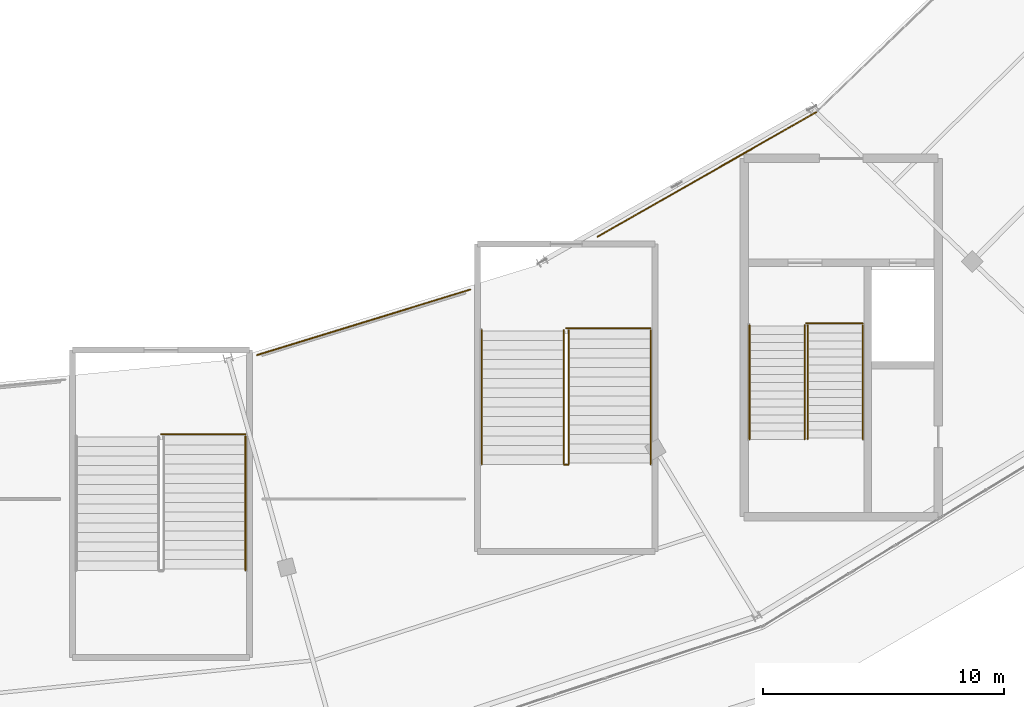
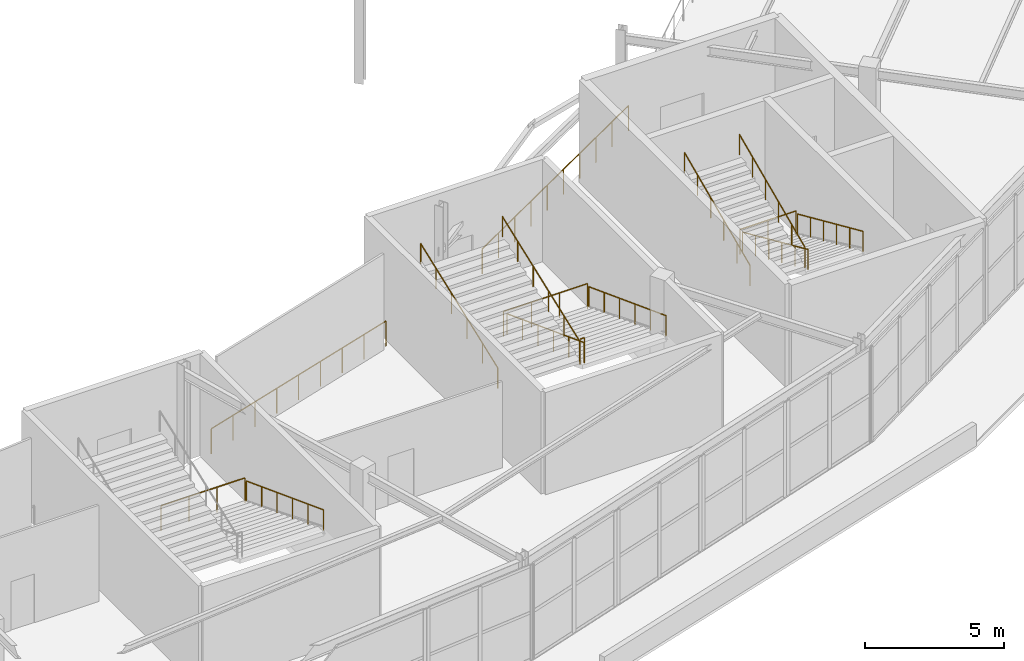
# One storey, part 119 of 126: 15 railings.
"""IFC4 building model written with IfcOpenShell, lengths in metres."""

from ifc_helpers import new_model, si_unit, direction, frame, origin, origin_2d, place, context, subcontext, project, spatial, circle, extrude, material, type_object, element, save


model = new_model("IFC4")

# Units and contexts
model_context = context("Model", 3, precision=1e-05, world=origin(), true_north=direction((0.0, 1.0)))
body_context = subcontext(model_context, "Body", "Model", "MODEL_VIEW")
ifc_project = project(units=[si_unit("LENGTHUNIT", "METRE"), si_unit("AREAUNIT", "SQUARE_METRE"), si_unit("VOLUMEUNIT", "CUBIC_METRE"), si_unit("PLANEANGLEUNIT", "RADIAN"), si_unit("MASSUNIT", "GRAM", prefix="KILO")], contexts=[model_context])

# Site, building, storey
site_placement = place(None, origin())
site = spatial("IfcSite", under=ifc_project, at=site_placement, CompositionType="ELEMENT")
building_placement = place(site_placement, origin())
building = spatial("IfcBuilding", under=site, at=building_placement, Name="Kalgoora Escarpment Arena", CompositionType="ELEMENT")
storey_placement = place(building_placement, frame((0.0, 0.0, 18.89990234375)))
storey = spatial("IfcBuildingStorey", under=building, at=storey_placement, Name="L04", CompositionType="ELEMENT", Elevation=18.89990234375)

# Railings
ifc_material_1 = material(Name="Galvanised & powdercoated tubular steel", Category="steel")
railing_type_1 = type_object("IfcRailingType", Name="RAL-GUARD-1120", PredefinedType="GUARDRAIL", material=ifc_material_1)
railing_1_placement = place(storey_placement, frame((132.68994140625, 26.7900390625, 0.0)))
element("IfcRailing", 1, at=railing_1_placement, inside=storey, type_object=railing_type_1, Name="ST06 L04 floor landing well guard", PredefinedType="GUARDRAIL", context=body_context, shape_type="SweptSolid", body=[
    extrude(circle(Radius=0.02392578125, at=origin_2d()), frame((0.0, 0.0, 1.09619140625), z_axis=(-1.0, 0.0, 0.0), x_axis=(0.0, -1.0, 0.0)), (0.0, 0.0, 1.0), 2.33984375),
    extrude(circle(Radius=0.02099609375, at=origin_2d()), origin(), (0.0, 0.0, 1.0), 1.072021484375),
    extrude(circle(Radius=0.02099609375, at=origin_2d()), frame((-1.169921875, 0.0, 0.0)), (0.0, 0.0, 1.0), 1.072021484375),
    extrude(circle(Radius=0.02099609375, at=origin_2d()), frame((-2.33984375, 0.0, 0.0)), (0.0, 0.0, 1.0), 1.072021484375),
])
railing_2_placement = place(storey_placement, frame((107.090087890625, 22.18994140625, 0.0)))
element("IfcRailing", 2, at=railing_2_placement, inside=storey, type_object=railing_type_1, Name="ST15 L04 floor landing well guard", PredefinedType="GUARDRAIL", context=body_context, shape_type="SweptSolid", body=[
    extrude(circle(Radius=0.02392578125, at=origin_2d()), frame((0.0, 0.0, 1.09619140625), z_axis=(-1.0, 0.0, 0.0), x_axis=(0.0, -1.0, 0.0)), (0.0, 0.0, 1.0), 3.489990234375),
    extrude(circle(Radius=0.02099609375, at=origin_2d()), origin(), (0.0, 0.0, 1.0), 1.072021484375),
    extrude(circle(Radius=0.02099609375, at=origin_2d()), frame((-1.163330078125, 0.0, 0.0)), (0.0, 0.0, 1.0), 1.072021484375),
    extrude(circle(Radius=0.02099609375, at=origin_2d()), frame((-2.32666015625, 0.0, 0.0)), (0.0, 0.0, 1.0), 1.072021484375),
    extrude(circle(Radius=0.02099609375, at=origin_2d()), frame((-3.489990234375, 0.0, 0.0)), (0.0, 0.0, 1.0), 1.072021484375),
])
railing_3_placement = place(storey_placement, frame((120.489990234375, 20.919921875, 2.25)))
element("IfcRailing", 3, at=railing_3_placement, inside=storey, type_object=railing_type_1, Name="ST16 L04 half-landing well guard", PredefinedType="GUARDRAIL", context=body_context, shape_type="SweptSolid", body=[
    extrude(circle(Radius=0.02392578125, at=origin_2d()), frame((0.0, 0.0, 1.09619140625), z_axis=(-1.0, 0.0, 0.0), x_axis=(0.0, -1.0, 0.0)), (0.0, 0.0, 1.0), 0.179931640625),
    extrude(circle(Radius=0.02099609375, at=origin_2d()), origin(), (0.0, 0.0, 1.0), 1.072021484375),
    extrude(circle(Radius=0.02099609375, at=origin_2d()), frame((-0.179931640625, 0.0, 0.0)), (0.0, 0.0, 1.0), 1.072021484375),
])
railing_4_placement = place(storey_placement, frame((123.889892578125, 26.590087890625, 0.0)))
element("IfcRailing", 4, at=railing_4_placement, inside=storey, type_object=railing_type_1, Name="ST16 L04 floor landing well guard", PredefinedType="GUARDRAIL", context=body_context, shape_type="SweptSolid", body=[
    extrude(circle(Radius=0.02392578125, at=origin_2d()), frame((0.0, 0.0, 1.09619140625), z_axis=(-1.0, 0.0, 0.0), x_axis=(0.0, -1.0, 0.0)), (0.0, 0.0, 1.0), 3.489990234375),
    extrude(circle(Radius=0.02099609375, at=origin_2d()), origin(), (0.0, 0.0, 1.0), 1.072021484375),
    extrude(circle(Radius=0.02099609375, at=origin_2d()), frame((-1.163330078125, 0.0, 0.0)), (0.0, 0.0, 1.0), 1.072021484375),
    extrude(circle(Radius=0.02099609375, at=origin_2d()), frame((-2.32666015625, 0.0, 0.0)), (0.0, 0.0, 1.0), 1.072021484375),
    extrude(circle(Radius=0.02099609375, at=origin_2d()), frame((-3.489990234375, 0.0, 0.0)), (0.0, 0.0, 1.0), 1.072021484375),
])
railing_5_placement = place(storey_placement, frame((107.580078125, 25.4716796875, 0.0)))
element("IfcRailing", 5, at=railing_5_placement, inside=storey, type_object=railing_type_1, Name="L04 concourse bowl balustrade 20", PredefinedType="GUARDRAIL", context=body_context, shape_type="SweptSolid", body=[
    extrude(circle(Radius=0.02392578125, at=origin_2d()), frame((0.0, 0.0, 1.09619140625), z_axis=(0.955882265532, 0.293750054368, 0.0), x_axis=(-0.293750054368, 0.955882265532, 0.0)), (0.0, 0.0, 1.0), 9.247802734375),
    extrude(circle(Radius=0.02099609375, at=origin_2d()), origin(), (0.0, 0.0, 1.0), 1.072021484375),
    extrude(circle(Radius=0.02099609375, at=origin_2d()), frame((1.10498046875, 0.339599609375, 0.0)), (0.0, 0.0, 1.0), 1.072021484375),
    extrude(circle(Radius=0.02099609375, at=origin_2d()), frame((2.2099609375, 0.67919921875, 0.0)), (0.0, 0.0, 1.0), 1.072021484375),
    extrude(circle(Radius=0.02099609375, at=origin_2d()), frame((3.31494140625, 1.018798828125, 0.0)), (0.0, 0.0, 1.0), 1.072021484375),
    extrude(circle(Radius=0.02099609375, at=origin_2d()), frame((4.419921875, 1.3583984375, 0.0)), (0.0, 0.0, 1.0), 1.072021484375),
    extrude(circle(Radius=0.02099609375, at=origin_2d()), frame((5.52490234375, 1.69775390625, 0.0)), (0.0, 0.0, 1.0), 1.072021484375),
    extrude(circle(Radius=0.02099609375, at=origin_2d()), frame((6.6298828125, 2.037353515625, 0.0)), (0.0, 0.0, 1.0), 1.072021484375),
    extrude(circle(Radius=0.02099609375, at=origin_2d()), frame((7.73486328125, 2.376953125, 0.0)), (0.0, 0.0, 1.0), 1.072021484375),
    extrude(circle(Radius=0.02099609375, at=origin_2d()), frame((8.83984375, 2.716552734375, 0.0)), (0.0, 0.0, 1.0), 1.072021484375),
])
railing_6_placement = place(storey_placement, frame((121.69873046875, 30.3798828125, 0.0)))
element("IfcRailing", 6, at=railing_6_placement, inside=storey, type_object=railing_type_1, Name="L04 concourse bowl balustrade 21", PredefinedType="GUARDRAIL", context=body_context, shape_type="SweptSolid", body=[
    extrude(circle(Radius=0.02392578125, at=origin_2d()), frame((0.0, 0.0, 1.09619140625), z_axis=(0.869025858852, 0.494766668892, 0.0), x_axis=(-0.494766668892, 0.869025858852, 0.0)), (0.0, 0.0, 1.0), 10.427490234375),
    extrude(circle(Radius=0.02099609375, at=origin_2d()), origin(), (0.0, 0.0, 1.0), 1.072021484375),
    extrude(circle(Radius=0.02099609375, at=origin_2d()), frame((1.0068359375, 0.5732421875, 0.0)), (0.0, 0.0, 1.0), 1.072021484375),
    extrude(circle(Radius=0.02099609375, at=origin_2d()), frame((2.013671875, 1.146484375, 0.0)), (0.0, 0.0, 1.0), 1.072021484375),
    extrude(circle(Radius=0.02099609375, at=origin_2d()), frame((3.0205078125, 1.7197265625, 0.0)), (0.0, 0.0, 1.0), 1.072021484375),
    extrude(circle(Radius=0.02099609375, at=origin_2d()), frame((4.02734375, 2.29296875, 0.0)), (0.0, 0.0, 1.0), 1.072021484375),
    extrude(circle(Radius=0.02099609375, at=origin_2d()), frame((5.034423828125, 2.8662109375, 0.0)), (0.0, 0.0, 1.0), 1.072021484375),
    extrude(circle(Radius=0.02099609375, at=origin_2d()), frame((6.041259765625, 3.439453125, 0.0)), (0.0, 0.0, 1.0), 1.072021484375),
    extrude(circle(Radius=0.02099609375, at=origin_2d()), frame((7.048095703125, 4.0126953125, 0.0)), (0.0, 0.0, 1.0), 1.072021484375),
    extrude(circle(Radius=0.02099609375, at=origin_2d()), frame((8.054931640625, 4.5859375, 0.0)), (0.0, 0.0, 1.0), 1.072021484375),
    extrude(circle(Radius=0.02099609375, at=origin_2d()), frame((9.061767578125, 5.1591796875, 0.0)), (0.0, 0.0, 1.0), 1.072021484375),
])
ifc_material_2 = material(Name="Brushed stainless steel 316 handrail", Category="steel")
railing_type_2 = type_object("IfcRailingType", Name="RAL-HAND-920", PredefinedType="HANDRAIL", material=ifc_material_2)
for number, where, name in (
    (7, (132.699951171875, 26.7099609375, 0.110107421875), "ST06 L04 pitched stair handrail F1L"),
    (8, (130.4150390625, 26.7099609375, 0.110107421875), "ST06 L04 pitched stair handrail F1R"),
):
    element("IfcRailing", number, at=place(storey_placement, frame(where)), inside=storey, type_object=railing_type_2, Name=name, PredefinedType="HANDRAIL", context=body_context, shape_type="SweptSolid", body=[
        extrude(circle(Radius=0.02392578125, at=origin_2d()), frame((0.0, 0.0, 0.89599609375), z_axis=(0.0, -0.913643874524, 0.406515523129), x_axis=(1.0, 0.0, 0.0)), (0.0, 0.0, 1.0), 5.166015625),
        extrude(circle(Radius=0.02099609375, at=origin_2d()), origin(), (0.0, 0.0, 1.0), 0.871826171875),
        extrude(circle(Radius=0.02099609375, at=origin_2d()), frame((0.0, -0.944091796875, 0.419921875)), (0.0, 0.0, 1.0), 0.871826171875),
        extrude(circle(Radius=0.02099609375, at=origin_2d()), frame((0.0, -1.887939453125, 0.840087890625)), (0.0, 0.0, 1.0), 0.871826171875),
        extrude(circle(Radius=0.02099609375, at=origin_2d()), frame((0.0, -2.83203125, 1.260009765625)), (0.0, 0.0, 1.0), 0.871826171875),
        extrude(circle(Radius=0.02099609375, at=origin_2d()), frame((0.0, -3.77587890625, 1.68017578125)), (0.0, 0.0, 1.0), 0.871826171875),
        extrude(circle(Radius=0.02099609375, at=origin_2d()), frame((0.0, -4.719970703125, 2.10009765625)), (0.0, 0.0, 1.0), 0.871826171875),
    ])
for number, where, name in (
    (9, (130.284912109375, 21.989990234375, 2.360107421875), "ST06 L04 pitched stair handrail F2L"),
    (10, (128.0, 21.989990234375, 2.360107421875), "ST06 L04 pitched stair handrail F2R"),
):
    element("IfcRailing", number, at=place(storey_placement, frame(where)), inside=storey, type_object=railing_type_2, Name=name, PredefinedType="HANDRAIL", context=body_context, shape_type="SweptSolid", body=[
        extrude(circle(Radius=0.02392578125, at=origin_2d()), frame((0.0, 0.0, 0.89599609375), z_axis=(0.0, 0.913643874524, 0.406515523129), x_axis=(-1.0, 0.0, 0.0)), (0.0, 0.0, 1.0), 5.166015625),
        extrude(circle(Radius=0.02099609375, at=origin_2d()), origin(), (0.0, 0.0, 1.0), 0.871826171875),
        extrude(circle(Radius=0.02099609375, at=origin_2d()), frame((0.0, 0.944091796875, 0.419921875)), (0.0, 0.0, 1.0), 0.871826171875),
        extrude(circle(Radius=0.02099609375, at=origin_2d()), frame((0.0, 1.887939453125, 0.840087890625)), (0.0, 0.0, 1.0), 0.871826171875),
        extrude(circle(Radius=0.02099609375, at=origin_2d()), frame((0.0, 2.83203125, 1.260009765625)), (0.0, 0.0, 1.0), 0.871826171875),
        extrude(circle(Radius=0.02099609375, at=origin_2d()), frame((0.0, 3.77587890625, 1.68017578125)), (0.0, 0.0, 1.0), 0.871826171875),
        extrude(circle(Radius=0.02099609375, at=origin_2d()), frame((0.0, 4.719970703125, 2.10009765625)), (0.0, 0.0, 1.0), 0.871826171875),
    ])
for number, where, name in (
    (11, (107.10009765625, 22.110107421875, 0.110107421875), "ST15 L04 pitched stair handrail F1L"),
    (12, (123.89990234375, 26.510009765625, 0.110107421875), "ST16 L04 pitched stair handrail F1L"),
    (13, (120.5, 26.510009765625, 0.110107421875), "ST16 L04 pitched stair handrail F1R"),
):
    element("IfcRailing", number, at=place(storey_placement, frame(where)), inside=storey, type_object=railing_type_2, Name=name, PredefinedType="HANDRAIL", context=body_context, shape_type="SweptSolid", body=[
        extrude(circle(Radius=0.02392578125, at=origin_2d()), frame((0.0, 0.0, 0.89599609375), z_axis=(0.0, -0.935492612948, 0.353346248203), x_axis=(1.0, 0.0, 0.0)), (0.0, 0.0, 1.0), 5.943359375),
        extrude(circle(Radius=0.02099609375, at=origin_2d()), origin(), (0.0, 0.0, 1.0), 0.871826171875),
        extrude(circle(Radius=0.02099609375, at=origin_2d()), frame((0.0, -1.112060546875, 0.419921875)), (0.0, 0.0, 1.0), 0.871826171875),
        extrude(circle(Radius=0.02099609375, at=origin_2d()), frame((0.0, -2.22412109375, 0.840087890625)), (0.0, 0.0, 1.0), 0.871826171875),
        extrude(circle(Radius=0.02099609375, at=origin_2d()), frame((0.0, -3.3359375, 1.260009765625)), (0.0, 0.0, 1.0), 0.871826171875),
        extrude(circle(Radius=0.02099609375, at=origin_2d()), frame((0.0, -4.447998046875, 1.68017578125)), (0.0, 0.0, 1.0), 0.871826171875),
        extrude(circle(Radius=0.02099609375, at=origin_2d()), frame((0.0, -5.56005859375, 2.10009765625)), (0.0, 0.0, 1.0), 0.871826171875),
    ])
for number, where, name in (
    (14, (120.300048828125, 20.949951171875, 2.360107421875), "ST16 L04 pitched stair handrail F2L"),
    (15, (116.89990234375, 20.949951171875, 2.360107421875), "ST16 L04 pitched stair handrail F2R"),
):
    element("IfcRailing", number, at=place(storey_placement, frame(where)), inside=storey, type_object=railing_type_2, Name=name, PredefinedType="HANDRAIL", context=body_context, shape_type="SweptSolid", body=[
        extrude(circle(Radius=0.02392578125, at=origin_2d()), frame((0.0, 0.0, 0.89599609375), z_axis=(0.0, 0.935492612948, 0.353346248203), x_axis=(-1.0, 0.0, 0.0)), (0.0, 0.0, 1.0), 5.943359375),
        extrude(circle(Radius=0.02099609375, at=origin_2d()), origin(), (0.0, 0.0, 1.0), 0.871826171875),
        extrude(circle(Radius=0.02099609375, at=origin_2d()), frame((0.0, 1.112060546875, 0.419921875)), (0.0, 0.0, 1.0), 0.871826171875),
        extrude(circle(Radius=0.02099609375, at=origin_2d()), frame((0.0, 2.22412109375, 0.840087890625)), (0.0, 0.0, 1.0), 0.871826171875),
        extrude(circle(Radius=0.02099609375, at=origin_2d()), frame((0.0, 3.3359375, 1.260009765625)), (0.0, 0.0, 1.0), 0.871826171875),
        extrude(circle(Radius=0.02099609375, at=origin_2d()), frame((0.0, 4.447998046875, 1.68017578125)), (0.0, 0.0, 1.0), 0.871826171875),
        extrude(circle(Radius=0.02099609375, at=origin_2d()), frame((0.0, 5.56005859375, 2.10009765625)), (0.0, 0.0, 1.0), 0.871826171875),
    ])

save(model, "model.ifc")
